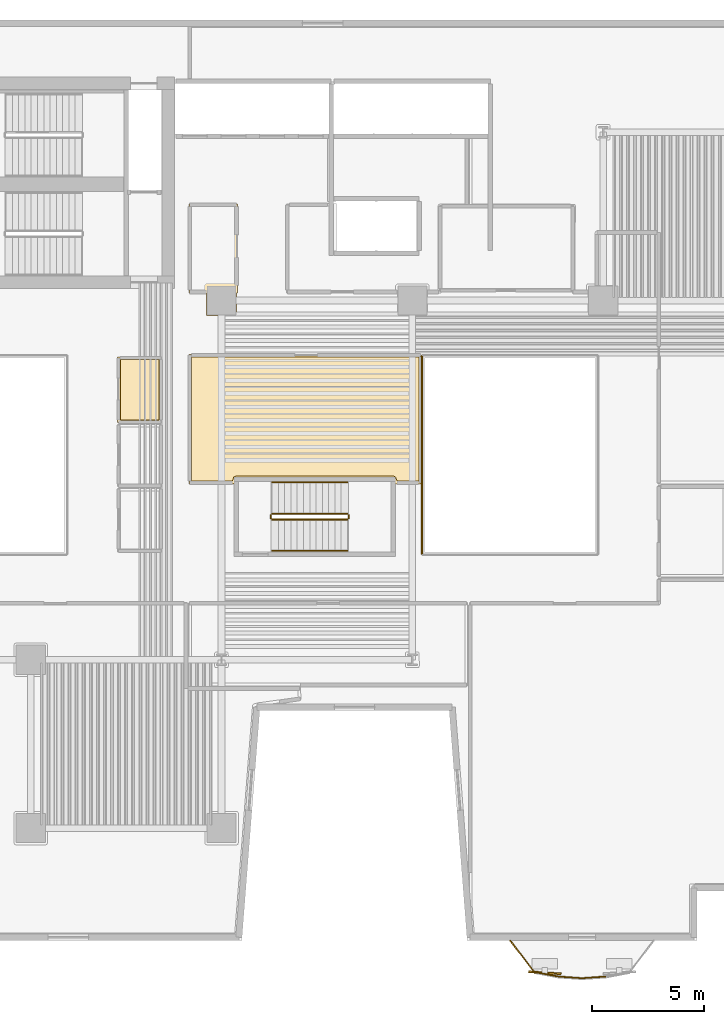
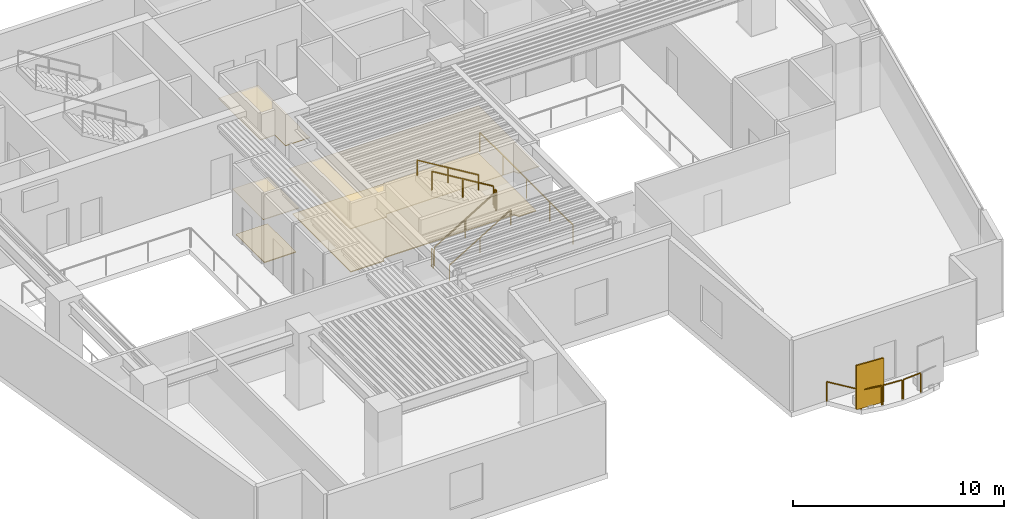
# One storey, part 9 of 12: 11 railings, 5 coverings, 1 shading device.
"""IFC4 building model written with IfcOpenShell, lengths in metres."""

import ifcopenshell
import ifcopenshell.guid

model = None  # the IFC model being written
_history = None  # IfcOwnerHistory: only IFC2X3 demands one
_inside = {}  # id of a spatial element -> (the spatial element, [elements in it])
_under = {}  # id of a project, library or spatial element -> (it, [spatial elements below it])
_declared = {}  # id of a project -> (the project, [libraries it declares])
_typed = {}  # id of a type object -> (the type object, [elements of that type])
_made_of = {}  # id of a material, layer set ... -> (it, [elements and type objects made of it])


def new_model(schema):
    """Start an empty IFC model of exactly this schema.

    Asked for "IFC4X3", IfcOpenShell would pick the latest addendum, in which some entities
    have other attributes; the version numbers below select the first issue.
    IFC2X3 requires an IfcOwnerHistory on every rooted entity: one is made here for all.
    """
    global model, _history
    if schema == "IFC4X3":
        model = ifcopenshell.file(schema_version=(4, 3, 0, 0))
    else:
        model = ifcopenshell.file(schema=schema)
    _inside.clear()
    _under.clear()
    _declared.clear()
    _typed.clear()
    _made_of.clear()
    _history = None
    if model.schema == "IFC2X3":
        org = make("IfcOrganization", Name="unknown")
        user = make(
            "IfcPersonAndOrganization",
            ThePerson=make("IfcPerson", FamilyName="unknown"),
            TheOrganization=org,
        )
        app = make(
            "IfcApplication",
            ApplicationDeveloper=org,
            Version="unknown",
            ApplicationFullName="unknown",
            ApplicationIdentifier="unknown",
        )
        _history = make(
            "IfcOwnerHistory",
            OwningUser=user,
            OwningApplication=app,
            ChangeAction="ADDED",
            CreationDate=0,
        )
    return model


def make(cls, **values):
    """One entity of the class cls with the attributes given. An attribute that is None is left unset."""
    return model.create_entity(
        cls, **{name: value for name, value in values.items() if value is not None}
    )


def rooted(cls, **values):
    """An entity with a GlobalId (a new one), such as an element, a storey or a relation."""
    return make(cls, GlobalId=ifcopenshell.guid.new(), OwnerHistory=_history, **values)


def si_unit(unit_type, name, prefix=None):
    """IfcSIUnit, for example si_unit("LENGTHUNIT", "METRE", prefix="MILLI")."""
    return make("IfcSIUnit", UnitType=unit_type, Prefix=prefix, Name=name)


def assignment(units):
    """IfcUnitAssignment: the units of a project."""
    return None if units is None else make("IfcUnitAssignment", Units=units)


def point(xyz):
    """IfcCartesianPoint."""
    return None if xyz is None else make("IfcCartesianPoint", Coordinates=xyz)


def direction(xyz):
    """IfcDirection."""
    return None if xyz is None else make("IfcDirection", DirectionRatios=xyz)


def frame(location, z_axis=None, x_axis=None):
    """IfcAxis2Placement3D, a coordinate frame: its origin and axes. An axis left out is left unset."""
    return make(
        "IfcAxis2Placement3D",
        Location=point(location),
        Axis=direction(z_axis),
        RefDirection=direction(x_axis),
    )


def frame_2d(location, x_axis=None):
    """IfcAxis2Placement2D, a coordinate frame in the plane: its origin and x axis."""
    return make(
        "IfcAxis2Placement2D", Location=point(location), RefDirection=direction(x_axis)
    )


def origin():
    """The frame at (0, 0, 0) with its axes left unset."""
    return frame((0.0, 0.0, 0.0))


def origin_2d():
    """The frame at (0, 0) in the plane with its x axis left unset."""
    return frame_2d((0.0, 0.0))


def place(relative_to, where):
    """IfcLocalPlacement: puts the frame where relative to a parent placement (None: the world)."""
    return make(
        "IfcLocalPlacement", PlacementRelTo=relative_to, RelativePlacement=where
    )


def context(
    kind, dimensions, precision=None, world=None, true_north=None, identifier=None
):
    """IfcGeometricRepresentationContext, for example the 3D "Model" context."""
    return make(
        "IfcGeometricRepresentationContext",
        ContextIdentifier=identifier,
        ContextType=kind,
        CoordinateSpaceDimension=dimensions,
        Precision=precision,
        WorldCoordinateSystem=world,
        TrueNorth=true_north,
    )


def subcontext(parent, identifier, kind, view, scale=None):
    """IfcGeometricRepresentationSubContext, for example "Body" below "Model"."""
    return make(
        "IfcGeometricRepresentationSubContext",
        ContextIdentifier=identifier,
        ContextType=kind,
        ParentContext=parent,
        TargetScale=scale,
        TargetView=view,
    )


def project(units=None, contexts=None):
    """IfcProject with its units and contexts."""
    return rooted(
        "IfcProject",
        Name="project",
        RepresentationContexts=contexts,
        UnitsInContext=assignment(units),
    )


def spatial(cls, under=None, at=None, **own):
    """A site, building, storey or space (cls), placed at a placement, below another one or the project."""
    s = rooted(cls, ObjectPlacement=at, **own)
    if under is not None:
        _under.setdefault(under.id(), (under, []))[1].append(s)
    return s


def polyline(points):
    """IfcPolyline through the points."""
    return make("IfcPolyline", Points=[point(p) for p in points])


def profile(cls, at=None, kind="AREA", **sizes):
    """A parametric profile (cls). Its sizes go by their IFC names, for example OverallWidth=200.0."""
    return make(cls, ProfileType=kind, Position=at, **sizes)


def rectangle(**sizes):
    """IfcRectangleProfileDef."""
    return profile("IfcRectangleProfileDef", **sizes)


def outline(outer, holes=None, kind="AREA"):
    """IfcArbitraryClosedProfileDef: a profile drawn as a closed curve; with holes, ...WithVoids."""
    if holes is None:
        return make("IfcArbitraryClosedProfileDef", ProfileType=kind, OuterCurve=outer)
    return make(
        "IfcArbitraryProfileDefWithVoids",
        ProfileType=kind,
        OuterCurve=outer,
        InnerCurves=holes,
    )


def extrude(swept, where, along, depth):
    """IfcExtrudedAreaSolid: the profile swept, set in the frame where, extruded along a direction by depth."""
    return make(
        "IfcExtrudedAreaSolid",
        SweptArea=swept,
        Position=where,
        ExtrudedDirection=direction(along),
        Depth=depth,
    )


def shape(context_of_items, identifier, shape_type, items):
    """IfcShapeRepresentation: the items that make up one representation, for example the "Body"."""
    return make(
        "IfcShapeRepresentation",
        ContextOfItems=context_of_items,
        RepresentationIdentifier=identifier,
        RepresentationType=shape_type,
        Items=items,
    )


def material(Name=None, Category=None):
    """IfcMaterial."""
    return make("IfcMaterial", Name=Name, Category=Category)


def layer(
    of_material, thickness, ventilated=None, Name=None, Category=None, Priority=None
):
    """IfcMaterialLayer: one layer of a wall or slab, of a material (None: an air gap)."""
    return make(
        "IfcMaterialLayer",
        Material=of_material,
        LayerThickness=thickness,
        IsVentilated=ventilated,
        Name=Name,
        Category=Category,
        Priority=Priority,
    )


def layer_set(layers, Name=None):
    """IfcMaterialLayerSet."""
    return make("IfcMaterialLayerSet", MaterialLayers=layers, LayerSetName=Name)


def made_of(thing, what):
    """Note that an element or type object is made of a material, layer set ...; save() writes the relation."""
    if what is not None:
        _made_of.setdefault(what.id(), (what, []))[1].append(thing)
    return thing


def type_object(cls, material=None, **own):
    """A type object (cls), such as IfcWallType, which elements share."""
    return made_of(rooted(cls, **own), material)


def element(
    cls,
    number,
    at=None,
    inside=None,
    cuts=None,
    type_object=None,
    material=None,
    context=None,
    identifier="Body",
    shape_type=None,
    held_by="IfcProductDefinitionShape",
    body=None,
    shapes=None,
    **own,
):
    """One element of the class cls, such as IfcWall. Its Tag is "e" and its number.

    at: its placement. inside: the storey or other place that contains it. cuts: it is an
    opening in that element (IfcRelVoidsElement). A single representation is given by context,
    identifier, shape_type and body (its items); several are given by shapes. held_by: the class
    of the entity that holds the representations. save() writes the other relations.
    """
    e = rooted(cls, Tag="e%d" % number, ObjectPlacement=at, **own)
    if body is not None:
        shapes = [shape(context, identifier, shape_type, body)]
    if shapes is not None:
        e.Representation = make(held_by, Representations=shapes)
    if inside is not None:
        _inside.setdefault(inside.id(), (inside, []))[1].append(e)
    if cuts is not None:
        rooted(
            "IfcRelVoidsElement", RelatingBuildingElement=cuts, RelatedOpeningElement=e
        )
    if type_object is not None:
        _typed.setdefault(type_object.id(), (type_object, []))[1].append(e)
    return made_of(e, material)


def aggregate(whole, parts):
    """IfcRelAggregates: a whole, such as a stair, and the parts it consists of."""
    return rooted("IfcRelAggregates", RelatingObject=whole, RelatedObjects=parts)


def save(model, path):
    """Write the relations noted so far, then the file.

    IfcRelAggregates (storeys below a building ...), IfcRelContainedInSpatialStructure (elements
    in a storey), IfcRelDefinesByType, IfcRelAssociatesMaterial and IfcRelDeclares: one each for
    every whole, place, type object, material and project.
    """
    for whole, parts in _under.values():
        aggregate(whole, parts)
    for where, things in _inside.values():
        rooted(
            "IfcRelContainedInSpatialStructure",
            RelatedElements=things,
            RelatingStructure=where,
        )
    for kind, things in _typed.values():
        rooted("IfcRelDefinesByType", RelatedObjects=things, RelatingType=kind)
    for what, things in _made_of.values():
        rooted("IfcRelAssociatesMaterial", RelatedObjects=things, RelatingMaterial=what)
    for by, libraries in _declared.values():
        rooted("IfcRelDeclares", RelatingContext=by, RelatedDefinitions=libraries)
    model.write(path)


model = new_model("IFC4")

# Units and contexts
model_context = context("Model", 3, precision=1e-05, world=origin(), true_north=direction((0.0, 1.0)))
body_context = subcontext(model_context, "Body", "Model", "MODEL_VIEW")
ifc_project = project(units=[si_unit("LENGTHUNIT", "METRE"), si_unit("AREAUNIT", "SQUARE_METRE"), si_unit("VOLUMEUNIT", "CUBIC_METRE"), si_unit("PLANEANGLEUNIT", "RADIAN"), si_unit("MASSUNIT", "GRAM", prefix="KILO")], contexts=[model_context])

# Site, building, storey
site_placement = place(None, origin())
site = spatial("IfcSite", under=ifc_project, at=site_placement, CompositionType="ELEMENT")
building_placement = place(site_placement, origin())
building = spatial("IfcBuilding", under=site, at=building_placement, Name="Caeloran Harvest Quay", CompositionType="ELEMENT")
storey_placement = place(building_placement, frame((0.0, 0.0, 93.0)))
storey = spatial("IfcBuildingStorey", under=building, at=storey_placement, Name="L21", CompositionType="ELEMENT", Elevation=93.0)

# Coverings
ifc_material_1 = material(Name="Perforated Mineral-Fibre Acoustic Ceiling Tile", Category="ceiling")
ifc_layer_1 = layer(ifc_material_1, 0.0400390625, Name="Perforated Mineral-Fibre Acoustic Ceiling Tile")
ifc_layer_set_1 = layer_set([ifc_layer_1], Name="Perforated Mineral-Fibre Acoustic Ceiling Tile")
covering_type_1 = type_object("IfcCoveringType", Name="COV-CEILING-ACOUSTIC", PredefinedType="CEILING", material=ifc_layer_set_1)
covering_1_placement = place(storey_placement, frame((0.0, 0.0, 2.60009765625)))
element("IfcCovering", 1, at=covering_1_placement, inside=storey, type_object=covering_type_1, Name="L21 Male Washroom WC Acoustic Ceiling", PredefinedType="CEILING", context=body_context, shape_type="SweptSolid", body=[
    extrude(outline(polyline([(22.840087890625, 25.56005859375), (20.8701171875, 25.56005859375), (20.8701171875, 28.489990234375), (22.840087890625, 28.489990234375), (22.840087890625, 25.56005859375)])), origin(), (0.0, 0.0, 1.0), 0.039794921875),
])
covering_2_placement = place(storey_placement, frame((0.0, 0.0, 2.60009765625)))
element("IfcCovering", 2, at=covering_2_placement, inside=storey, type_object=covering_type_1, Name="Botanical Sketch Studio Acoustic Ceiling", PredefinedType="CEILING", context=body_context, shape_type="SweptSolid", body=[
    extrude(outline(polyline([(26.139892578125, 23.06005859375), (26.139892578125, 23.02099609375), (26.054443359375, 22.840087890625), (24.0400390625, 22.840087890625), (24.0400390625, 28.610107421875), (34.409912109375, 28.610107421875), (34.409912109375, 22.840087890625), (33.24560546875, 22.840087890625), (33.159912109375, 23.02099609375), (33.159912109375, 23.06005859375), (26.139892578125, 23.06005859375)])), origin(), (0.0, 0.0, 1.0), 0.039794921875),
])
covering_3_placement = place(storey_placement, frame((0.0, 0.0, 2.60009765625)))
element("IfcCovering", 3, at=covering_3_placement, inside=storey, type_object=covering_type_1, Name="Partner Boardroom Acoustic Ceiling", PredefinedType="CEILING", context=body_context, shape_type="SweptSolid", body=[
    extrude(outline(polyline([(26.169921875, 30.330078125), (24.830078125, 30.330078125), (24.830078125, 31.340087890625), (24.0400390625, 31.340087890625), (24.0400390625, 35.31005859375), (26.2099609375, 35.31005859375), (26.2099609375, 31.340087890625), (26.169921875, 31.340087890625), (26.169921875, 30.330078125)])), origin(), (0.0, 0.0, 1.0), 0.039794921875),
])
ifc_material_2 = material(Name="Calcium-Sulphate Raised Access Floor and Terrazzo Finish", Category="flooring")
ifc_layer_2 = layer(ifc_material_2, 0.050048828125, Name="Calcium-Sulphate Raised Access Floor and Terrazzo Finish")
ifc_layer_set_2 = layer_set([ifc_layer_2], Name="Calcium-Sulphate Raised Access Floor and Terrazzo Finish")
covering_type_2 = type_object("IfcCoveringType", Name="COV-FLOOR-RAISED", PredefinedType="FLOORING", material=ifc_layer_set_2)
covering_4_placement = place(storey_placement, origin())
element("IfcCovering", 4, at=covering_4_placement, inside=storey, type_object=covering_type_2, Name="L21 Male Washroom WC Raised Finish Flooring", PredefinedType="FLOORING", context=body_context, shape_type="SweptSolid", body=[
    extrude(outline(polyline([(22.719970703125, 25.679931640625), (20.989990234375, 25.679931640625), (20.989990234375, 28.3701171875), (22.719970703125, 28.3701171875), (22.719970703125, 25.679931640625)])), origin(), (0.0, 0.0, 1.0), 0.050048828125),
])
covering_5_placement = place(storey_placement, origin())
element("IfcCovering", 5, at=covering_5_placement, inside=storey, type_object=covering_type_2, Name="Botanical Sketch Studio Raised Finish Flooring", PredefinedType="FLOORING", context=body_context, shape_type="SweptSolid", body=[
    extrude(outline(polyline([(33.321533203125, 22.9599609375), (33.244873046875, 23.150390625), (33.169921875, 23.179931640625), (26.1298828125, 23.179931640625), (26.040771484375, 23.13427734375), (25.978515625, 22.9599609375), (24.159912109375, 22.9599609375), (24.159912109375, 28.489990234375), (34.2900390625, 28.489990234375), (34.2900390625, 22.9599609375), (33.321533203125, 22.9599609375)])), origin(), (0.0, 0.0, 1.0), 0.050048828125),
])

# Railings
ifc_material_3 = material(Name="Powder-Coated Steel Post and Laminated Glass Guardrail", Category="steel")
ifc_layer_3 = layer(ifc_material_3, 0.06005859375, Name="Powder-Coated Steel Post and Laminated Glass Guardrail")
ifc_layer_set_3 = layer_set([ifc_layer_3], Name="Powder-Coated Steel Post and Laminated Glass Guardrail")
railing_type_1 = type_object("IfcRailingType", Name="GUARD-ATRIUM-1150", PredefinedType="GUARDRAIL", material=ifc_layer_set_3)
railing_1_placement = place(storey_placement, frame((34.429931640625, 28.5380859375, 0.0)))
element("IfcRailing", 6, at=railing_1_placement, inside=storey, type_object=railing_type_1, Name="L21 East Botanical Lightwell Guardrail Seg 4", PredefinedType="GUARDRAIL", context=body_context, shape_type="SweptSolid", body=[
    extrude(rectangle(XDim=0.048095703125, YDim=0.048095703125, at=origin_2d()), frame((0.0, 0.0, 1.1259765625), z_axis=(0.0, -1.0, 0.0), x_axis=(1.0, 0.0, 0.0)), (0.0, 0.0, 1.0), 8.826171875),
    extrude(rectangle(XDim=0.0419921875, YDim=0.0419921875, at=origin_2d()), origin(), (0.0, 0.0, 1.0), 1.101806640625),
    extrude(rectangle(XDim=0.0419921875, YDim=0.0419921875, at=origin_2d()), frame((0.0, -2.20654296875, 0.0)), (0.0, 0.0, 1.0), 1.101806640625),
    extrude(rectangle(XDim=0.0419921875, YDim=0.0419921875, at=origin_2d()), frame((0.0, -4.4130859375, 0.0)), (0.0, 0.0, 1.0), 1.101806640625),
    extrude(rectangle(XDim=0.0419921875, YDim=0.0419921875, at=origin_2d()), frame((0.0, -6.61962890625, 0.0)), (0.0, 0.0, 1.0), 1.101806640625),
    extrude(rectangle(XDim=0.0419921875, YDim=0.0419921875, at=origin_2d()), frame((0.0, -8.826171875, 0.0)), (0.0, 0.0, 1.0), 1.101806640625),
])
ifc_material_4 = material(Name="Laminated Safety Glass and Stainless Steel 316", Category="steel")
ifc_layer_4 = layer(ifc_material_4, 0.06005859375, Name="Laminated Safety Glass and Stainless Steel 316")
ifc_layer_set_4 = layer_set([ifc_layer_4], Name="Laminated Safety Glass and Stainless Steel 316")
railing_type_2 = type_object("IfcRailingType", Name="GUARD-BALUSTRADE-1150", PredefinedType="BALUSTRADE", material=ifc_layer_set_4)
railing_2_placement = place(storey_placement, frame((42.5908203125, 0.8876953125, 0.0)))
element("IfcRailing", 7, at=railing_2_placement, inside=storey, type_object=railing_type_2, Name="L21 Planted Balcony Perimeter Balustrade Guard Seg 3", PredefinedType="BALUSTRADE", context=body_context, shape_type="SweptSolid", body=[
    extrude(rectangle(XDim=0.048095703125, YDim=0.048095703125, at=origin_2d()), frame((0.0, 0.0, 1.1259765625), z_axis=(-0.997573528379, -0.069620797735, 0.0), x_axis=(0.069620797735, -0.997573528379, 0.0)), (0.0, 0.0, 1.0), 1.0029296875),
    extrude(rectangle(XDim=0.0419921875, YDim=0.0419921875, at=origin_2d()), origin(), (0.0, 0.0, 1.0), 1.101806640625),
    extrude(rectangle(XDim=0.0419921875, YDim=0.0419921875, at=origin_2d()), frame((-1.00048828125, -0.06982421875, 0.0)), (0.0, 0.0, 1.0), 1.101806640625),
])
railing_3_placement = place(storey_placement, frame((41.526611328125, 0.81787109375, 0.0)))
element("IfcRailing", 8, at=railing_3_placement, inside=storey, type_object=railing_type_2, Name="L21 Planted Balcony Perimeter Balustrade Guard Seg 4", PredefinedType="BALUSTRADE", context=body_context, shape_type="SweptSolid", body=[
    extrude(rectangle(XDim=0.048095703125, YDim=0.048095703125, at=origin_2d()), frame((0.0, 0.0, 1.1259765625), z_axis=(-0.997573528379, 0.069620797735, 0.0), x_axis=(-0.069620797735, -0.997573528379, 0.0)), (0.0, 0.0, 1.0), 1.0029296875),
    extrude(rectangle(XDim=0.0419921875, YDim=0.0419921875, at=origin_2d()), origin(), (0.0, 0.0, 1.0), 1.101806640625),
    extrude(rectangle(XDim=0.0419921875, YDim=0.0419921875, at=origin_2d()), frame((-1.00048828125, 0.06982421875, 0.0)), (0.0, 0.0, 1.0), 1.101806640625),
])
railing_4_placement = place(storey_placement, frame((40.462890625, 0.89599609375, 0.0)))
element("IfcRailing", 9, at=railing_4_placement, inside=storey, type_object=railing_type_2, Name="L21 Planted Balcony Perimeter Balustrade Guard Seg 5", PredefinedType="BALUSTRADE", context=body_context, shape_type="SweptSolid", body=[
    extrude(rectangle(XDim=0.048095703125, YDim=0.048095703125, at=origin_2d()), frame((0.0, 0.0, 1.1259765625), z_axis=(-0.982300809126, 0.187310225003, 0.0), x_axis=(-0.187310225003, -0.982300809126, 0.0)), (0.0, 0.0, 1.0), 1.019287109375),
    extrude(rectangle(XDim=0.0419921875, YDim=0.0419921875, at=origin_2d()), origin(), (0.0, 0.0, 1.0), 1.101806640625),
    extrude(rectangle(XDim=0.0419921875, YDim=0.0419921875, at=origin_2d()), frame((-1.001220703125, 0.19091796875, 0.0)), (0.0, 0.0, 1.0), 1.101806640625),
])
railing_5_placement = place(storey_placement, frame((39.41064453125, 1.1181640625, 0.0)))
element("IfcRailing", 10, at=railing_5_placement, inside=storey, type_object=railing_type_2, Name="L21 Planted Balcony Perimeter Balustrade Guard Seg 6", PredefinedType="BALUSTRADE", context=body_context, shape_type="SweptSolid", body=[
    extrude(rectangle(XDim=0.048095703125, YDim=0.048095703125, at=origin_2d()), frame((0.0, 0.0, 1.1259765625), z_axis=(-0.608658470771, 0.793432332312, 0.0), x_axis=(-0.793432332312, -0.608658470771, 0.0)), (0.0, 0.0, 1.0), 1.71630859375),
    extrude(rectangle(XDim=0.0419921875, YDim=0.0419921875, at=origin_2d()), origin(), (0.0, 0.0, 1.0), 1.101806640625),
    extrude(rectangle(XDim=0.0419921875, YDim=0.0419921875, at=origin_2d()), frame((-1.044677734375, 1.36181640625, 0.0)), (0.0, 0.0, 1.0), 1.101806640625),
])

# Shading device
ifc_material_5 = material(Name="3003-H14 Perforated Powder-Coated Aluminium", Category="aluminium")
shading_device_type = type_object("IfcShadingDeviceType", Name="SHADE-SCREEN-FOLDED", PredefinedType="USERDEFINED", material=ifc_material_5)
shading_device_placement = place(storey_placement, frame((39.8984375, 1.056396484375, 0.0751953125), z_axis=(0.0, 0.0, 1.0), x_axis=(0.997801468292, -0.0662739004, 0.0)))
element("IfcShadingDevice", 11, at=shading_device_placement, inside=storey, type_object=shading_device_type, Name="L21 Folded Facade Breathing Screen 2", ObjectType="SCREEN", PredefinedType="USERDEFINED", context=body_context, shape_type="SweptSolid", body=[
    extrude(rectangle(XDim=1.449951171875, YDim=0.080078125, at=origin_2d()), origin(), (0.0, 0.0, 1.0), 2.550048828125),
])

# Railings
ifc_material_6 = material(Name="Painted Steel Baluster and Top-Rail Stair Guard", Category="steel")
ifc_layer_5 = layer(ifc_material_6, 0.050048828125, Name="Painted Steel Baluster and Top-Rail Stair Guard")
ifc_layer_set_5 = layer_set([ifc_layer_5], Name="Painted Steel Baluster and Top-Rail Stair Guard")
railing_type_3 = type_object("IfcRailingType", Name="STAIR-GUARD-1100", PredefinedType="GUARDRAIL", material=ifc_layer_set_5)
railing_6_placement = place(storey_placement, frame((27.75, 21.25, 0.169189453125)))
element("IfcRailing", 12, at=railing_6_placement, inside=storey, type_object=railing_type_3, Name="L21 ST-W1 stair guard 1", PredefinedType="GUARDRAIL", context=body_context, shape_type="SweptSolid", body=[
    extrude(rectangle(XDim=0.048095703125, YDim=0.048095703125, at=origin_2d()), frame((0.0, 0.0, 1.076171875), z_axis=(0.855836976705, 0.0, 0.517245656632), x_axis=(0.0, 1.0, 0.0)), (0.0, 0.0, 1.0), 3.926025390625),
    extrude(rectangle(XDim=0.0419921875, YDim=0.0419921875, at=origin_2d()), origin(), (0.0, 0.0, 1.0), 1.052001953125),
    extrude(rectangle(XDim=0.0419921875, YDim=0.0419921875, at=origin_2d()), frame((1.68017578125, 0.0, 1.015380859375)), (0.0, 0.0, 1.0), 1.052001953125),
    extrude(rectangle(XDim=0.0419921875, YDim=0.0419921875, at=origin_2d()), frame((3.360107421875, 0.0, 2.03076171875)), (0.0, 0.0, 1.0), 1.052001953125),
])
railing_7_placement = place(storey_placement, frame((31.159912109375, 21.300048828125, 2.199951171875)))
element("IfcRailing", 13, at=railing_7_placement, inside=storey, type_object=railing_type_3, Name="L21 ST-W1 stair guard 2", PredefinedType="GUARDRAIL", context=body_context, shape_type="SweptSolid", body=[
    extrude(rectangle(XDim=0.048095703125, YDim=0.048095703125, at=origin_2d()), frame((0.0, 0.0, 1.076171875), z_axis=(0.0, 1.0, 0.0), x_axis=(-1.0, 0.0, 0.0)), (0.0, 0.0, 1.0), 0.14990234375),
    extrude(rectangle(XDim=0.0419921875, YDim=0.0419921875, at=origin_2d()), origin(), (0.0, 0.0, 1.0), 1.052001953125),
    extrude(rectangle(XDim=0.0419921875, YDim=0.0419921875, at=origin_2d()), frame((0.0, 0.14990234375, 0.0)), (0.0, 0.0, 1.0), 1.052001953125),
])
railing_8_placement = place(storey_placement, frame((31.110107421875, 21.5, 2.369140625)))
element("IfcRailing", 14, at=railing_8_placement, inside=storey, type_object=railing_type_3, Name="L21 ST-W1 stair guard 3", PredefinedType="GUARDRAIL", context=body_context, shape_type="SweptSolid", body=[
    extrude(rectangle(XDim=0.048095703125, YDim=0.048095703125, at=origin_2d()), frame((0.0, 0.0, 1.076171875), z_axis=(-0.855836976705, 0.0, 0.517245656632), x_axis=(0.0, -1.0, 0.0)), (0.0, 0.0, 1.0), 3.926025390625),
    extrude(rectangle(XDim=0.0419921875, YDim=0.0419921875, at=origin_2d()), origin(), (0.0, 0.0, 1.0), 1.052001953125),
    extrude(rectangle(XDim=0.0419921875, YDim=0.0419921875, at=origin_2d()), frame((-1.68017578125, 0.0, 1.015380859375)), (0.0, 0.0, 1.0), 1.052001953125),
    extrude(rectangle(XDim=0.0419921875, YDim=0.0419921875, at=origin_2d()), frame((-3.360107421875, 0.0, 2.03076171875)), (0.0, 0.0, 1.0), 1.052001953125),
])
railing_9_placement = place(storey_placement, frame((27.699951171875, 21.300048828125, 0.0)))
element("IfcRailing", 15, at=railing_9_placement, inside=storey, type_object=railing_type_3, Name="L21 ST-W1 stair guard 4", PredefinedType="GUARDRAIL", context=body_context, shape_type="SweptSolid", body=[
    extrude(rectangle(XDim=0.048095703125, YDim=0.048095703125, at=origin_2d()), frame((0.0, 0.0, 1.076171875), z_axis=(0.0, 1.0, 0.0), x_axis=(-1.0, 0.0, 0.0)), (0.0, 0.0, 1.0), 0.14990234375),
    extrude(rectangle(XDim=0.0419921875, YDim=0.0419921875, at=origin_2d()), origin(), (0.0, 0.0, 1.0), 1.052001953125),
    extrude(rectangle(XDim=0.0419921875, YDim=0.0419921875, at=origin_2d()), frame((0.0, 0.14990234375, 0.0)), (0.0, 0.0, 1.0), 1.052001953125),
])
ifc_material_7 = material(Name="Brushed Stainless Steel Grade 304", Category="steel")
ifc_layer_6 = layer(ifc_material_7, 0.050048828125, Name="Brushed Stainless Steel Grade 304")
ifc_layer_set_6 = layer_set([ifc_layer_6], Name="Brushed Stainless Steel Grade 304")
railing_type_4 = type_object("IfcRailingType", Name="STAIR-HANDRAIL-900", PredefinedType="HANDRAIL", material=ifc_layer_set_6)
railing_10_placement = place(storey_placement, frame((27.75, 19.85009765625, 0.169189453125)))
element("IfcRailing", 16, at=railing_10_placement, inside=storey, type_object=railing_type_4, Name="L21 ST-W1 stair handrail 1", PredefinedType="HANDRAIL", context=body_context, shape_type="SweptSolid", body=[
    extrude(rectangle(XDim=0.048095703125, YDim=0.048095703125, at=origin_2d()), frame((0.0, 0.0, 0.8759765625), z_axis=(0.855836976705, 0.0, 0.517245656632), x_axis=(0.0, 1.0, 0.0)), (0.0, 0.0, 1.0), 3.926025390625),
    extrude(rectangle(XDim=0.0419921875, YDim=0.0419921875, at=origin_2d()), origin(), (0.0, 0.0, 1.0), 0.851806640625),
    extrude(rectangle(XDim=0.0419921875, YDim=0.0419921875, at=origin_2d()), frame((1.68017578125, 0.0, 1.015380859375)), (0.0, 0.0, 1.0), 0.851806640625),
    extrude(rectangle(XDim=0.0419921875, YDim=0.0419921875, at=origin_2d()), frame((3.360107421875, 0.0, 2.03076171875)), (0.0, 0.0, 1.0), 0.851806640625),
])
railing_11_placement = place(storey_placement, frame((31.110107421875, 22.89990234375, 2.369140625)))
element("IfcRailing", 17, at=railing_11_placement, inside=storey, type_object=railing_type_4, Name="L21 ST-W1 stair handrail 2", PredefinedType="HANDRAIL", context=body_context, shape_type="SweptSolid", body=[
    extrude(rectangle(XDim=0.048095703125, YDim=0.048095703125, at=origin_2d()), frame((0.0, 0.0, 0.8759765625), z_axis=(-0.855836976705, 0.0, 0.517245656632), x_axis=(0.0, -1.0, 0.0)), (0.0, 0.0, 1.0), 3.926025390625),
    extrude(rectangle(XDim=0.0419921875, YDim=0.0419921875, at=origin_2d()), origin(), (0.0, 0.0, 1.0), 0.851806640625),
    extrude(rectangle(XDim=0.0419921875, YDim=0.0419921875, at=origin_2d()), frame((-1.68017578125, 0.0, 1.015380859375)), (0.0, 0.0, 1.0), 0.851806640625),
    extrude(rectangle(XDim=0.0419921875, YDim=0.0419921875, at=origin_2d()), frame((-3.360107421875, 0.0, 2.03076171875)), (0.0, 0.0, 1.0), 0.851806640625),
])

save(model, "model.ifc")
